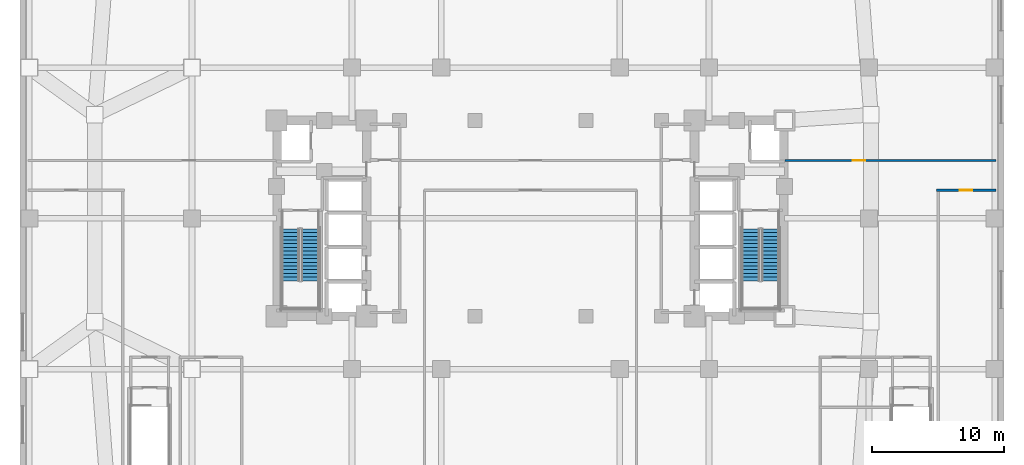
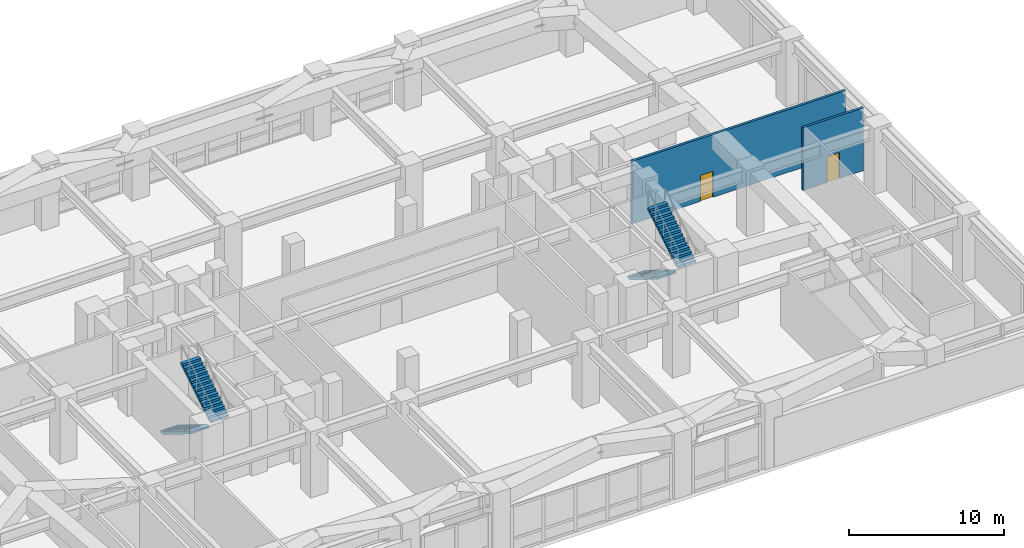
# One storey, part 18 of 20: 4 stair flights, 2 doors, 2 walls, 2 openings, 2 elements without a shape of their own.
"""IFC4 building model written with IfcOpenShell, lengths in metres."""

from ifc_helpers import new_model, si_unit, direction, frame, frame_2d, origin, place, context, subcontext, project, spatial, polyline, rectangle, outline, extrude, material, layer, layer_set, type_object, element, fill, aggregate, save


model = new_model("IFC4")

# Units and contexts
model_context = context("Model", 3, precision=1e-05, world=origin(), true_north=direction((0.0, 1.0)))
body_context = subcontext(model_context, "Body", "Model", "MODEL_VIEW")
ifc_project = project(units=[si_unit("LENGTHUNIT", "METRE"), si_unit("AREAUNIT", "SQUARE_METRE"), si_unit("VOLUMEUNIT", "CUBIC_METRE"), si_unit("PLANEANGLEUNIT", "RADIAN"), si_unit("MASSUNIT", "GRAM", prefix="KILO")], contexts=[model_context])

# Site, building, storey
site_placement = place(None, origin())
site = spatial("IfcSite", under=ifc_project, at=site_placement, CompositionType="ELEMENT")
building_placement = place(site_placement, origin())
building = spatial("IfcBuilding", under=site, at=building_placement, Name="Voryun Gate Residences", CompositionType="ELEMENT")
storey_placement = place(building_placement, frame((0.0, 0.0, 20.800048828125)))
storey = spatial("IfcBuildingStorey", under=building, at=storey_placement, Name="L04", CompositionType="ELEMENT", Elevation=20.800048828125)

# Wall, opening, door
ifc_material_1 = material(Name="Gypsum acoustic fireboard")
ifc_layer = layer(ifc_material_1, 0.179931640625, Name="W_CORR_RATED_180")
ifc_layer_set = layer_set([ifc_layer], Name="Gypsum acoustic fireboard")
wall_type = type_object("IfcWallType", Name="W_CORR_RATED_180", PredefinedType="PARTITIONING", material=ifc_layer_set)
wall_1_placement = place(storey_placement, frame((30.699951171875, 2.1201171875, 0.0), z_axis=(0.0, 0.0, 1.0), x_axis=(1.0, 0.0, 0.0)))
wall_1 = element("IfcWall", 1, at=wall_1_placement, inside=storey, type_object=wall_type, Name="Partition wall WP-L04-CS3", PredefinedType="PARTITIONING", context=body_context, shape_type="SweptSolid", body=[
    extrude(rectangle(XDim=4.5, YDim=0.179931640625, at=frame_2d((2.25, 0.0))), origin(), (0.0, 0.0, 1.0), 4.949951171875),
])
opening_1_placement = place(wall_1_placement, frame((1.77490234375, 0.0, 0.0)))
opening_1 = element("IfcOpeningElement", 2, at=opening_1_placement, cuts=wall_1, Name="Opening D-INT-1", PredefinedType="OPENING", context=body_context, shape_type="SweptSolid", body=[
    extrude(rectangle(XDim=0.949951171875, YDim=2.050048828125, at=frame_2d((0.47509765625, 1.02490234375))), frame((0.0, 0.099853515625, 0.0), z_axis=(0.0, -1.0, 0.0), x_axis=(1.0, 0.0, 0.0)), (0.0, 0.0, 1.0), 0.199951171875),
])
ifc_material_2 = material(Name="Architectural oak veneer")
door_type = type_object("IfcDoorType", Name="DR_INT_ROOM_950", OperationType="NOTDEFINED", PredefinedType="DOOR", material=ifc_material_2)
door_1_placement = place(opening_1_placement, origin())
door_1 = element("IfcDoor", 3, at=door_1_placement, inside=storey, type_object=door_type, Name="Door DR-L04-CLUB", OperationType="SINGLE_SWING_RIGHT", OverallHeight=2.050048828125, OverallWidth=0.949951171875, PredefinedType="DOOR", context=body_context, shape_type="SweptSolid", body=[
    extrude(rectangle(XDim=0.949951171875, YDim=2.050048828125, at=frame_2d((0.47509765625, 1.02490234375))), frame((0.0, 0.02490234375, 0.0), z_axis=(0.0, -1.0, 0.0), x_axis=(1.0, 0.0, 0.0)), (0.0, 0.0, 1.0), 0.050048828125),
])
fill(opening_1, door_1)

wall_2_placement = place(storey_placement, frame((19.25, 4.3798828125, 0.0), z_axis=(0.0, 0.0, 1.0), x_axis=(1.0, 0.0, 0.0)))
wall_2 = element("IfcWall", 4, at=wall_2_placement, inside=storey, type_object=wall_type, Name="Partition wall WP-L04-CN3", PredefinedType="PARTITIONING", context=body_context, shape_type="SweptSolid", body=[
    extrude(rectangle(XDim=15.949951171875, YDim=0.179931640625, at=frame_2d((7.97509765625, 0.0))), origin(), (0.0, 0.0, 1.0), 4.949951171875),
])
opening_2_placement = place(wall_2_placement, frame((5.107421875, 0.0, 0.0)))
opening_2 = element("IfcOpeningElement", 5, at=opening_2_placement, cuts=wall_2, Name="Opening D-INT-1", PredefinedType="OPENING", context=body_context, shape_type="SweptSolid", body=[
    extrude(rectangle(XDim=0.949951171875, YDim=2.050048828125, at=frame_2d((0.47509765625, 1.02490234375))), frame((0.0, 0.099853515625, 0.0), z_axis=(0.0, -1.0, 0.0), x_axis=(1.0, 0.0, 0.0)), (0.0, 0.0, 1.0), 0.199951171875),
])
door_2_placement = place(opening_2_placement, origin())
door_2 = element("IfcDoor", 6, at=door_2_placement, inside=storey, type_object=door_type, Name="Door DR-L04-SALON", OperationType="SINGLE_SWING_LEFT", OverallHeight=2.050048828125, OverallWidth=0.949951171875, PredefinedType="DOOR", context=body_context, shape_type="SweptSolid", body=[
    extrude(rectangle(XDim=0.949951171875, YDim=2.050048828125, at=frame_2d((0.47509765625, 1.02490234375))), frame((0.0, 0.02490234375, 0.0), z_axis=(0.0, -1.0, 0.0), x_axis=(1.0, 0.0, 0.0)), (0.0, 0.0, 1.0), 0.050048828125),
])
fill(opening_2, door_2)

# Stair, stair flights
ifc_material_3 = material(Name="Concrete C40/50", Category="concrete")
stair_type = type_object("IfcStairType", Name="STR_CORE_DOGLEG_1350", PredefinedType="HALF_TURN_STAIR", material=ifc_material_3)
stair_1_placement = place(storey_placement, origin())
stair_1 = element("IfcStair", 7, at=stair_1_placement, inside=storey, type_object=stair_type, Name="L04 Special Escape Stair ST-W1", PredefinedType="HALF_TURN_STAIR")
ifc_material_4 = material(Name="Concrete C40/50", Category="concrete")
stair_flight_type = type_object("IfcStairFlightType", Name="FLT_CORE_1350", PredefinedType="STRAIGHT", material=ifc_material_4)
stair_flight_1_placement = place(storey_placement, frame((-18.14990234375, -0.800048828125, 0.0), z_axis=(0.0, 0.0, 1.0), x_axis=(0.0, -1.0, 0.0)))
stair_flight_1 = element("IfcStairFlight", 8, at=stair_flight_1_placement, type_object=stair_flight_type, Name="ST-W1 flight 1", NumberOfRisers=15, NumberOfTreads=14, PredefinedType="STRAIGHT", RiserHeight=0.173333333, TreadLength=0.28, context=body_context, shape_type="SweptSolid", body=[
    extrude(outline(polyline([(0.0, 0.0), (0.0, 0.17333984375), (0.280029296875, 0.17333984375), (0.280029296875, 0.3466796875), (0.56005859375, 0.3466796875), (0.56005859375, 0.52001953125), (0.840087890625, 0.52001953125), (0.840087890625, 0.693359375), (1.1201171875, 0.693359375), (1.1201171875, 0.86669921875), (1.39990234375, 0.86669921875), (1.39990234375, 1.0400390625), (1.679931640625, 1.0400390625), (1.679931640625, 1.21337890625), (1.9599609375, 1.21337890625), (1.9599609375, 1.38671875), (2.239990234375, 1.38671875), (2.239990234375, 1.56005859375), (2.52001953125, 1.56005859375), (2.52001953125, 1.7333984375), (2.800048828125, 1.7333984375), (2.800048828125, 1.90673828125), (3.080078125, 1.90673828125), (3.080078125, 2.080078125), (3.360107421875, 2.080078125), (3.360107421875, 2.25341796875), (3.639892578125, 2.25341796875), (3.639892578125, 2.4267578125), (3.919921875, 2.4267578125), (3.919921875, 2.60009765625), (3.919921875, 2.250244140625), (0.284912109375, 0.0), (0.0, 0.0)])), frame((0.0, 0.675048828125, 0.0), z_axis=(0.0, -1.0, 0.0), x_axis=(1.0, 0.0, 0.0)), (0.0, 0.0, 1.0), 1.35009765625),
])
stair_flight_2_placement = place(storey_placement, frame((-16.64990234375, -4.719970703125, 2.599853515625), z_axis=(0.0, 0.0, 1.0), x_axis=(0.0, 1.0, 0.0)))
stair_flight_2 = element("IfcStairFlight", 9, at=stair_flight_2_placement, type_object=stair_flight_type, Name="ST-W1 flight 2", NumberOfRisers=15, NumberOfTreads=14, PredefinedType="STRAIGHT", RiserHeight=0.173333333, TreadLength=0.28, context=body_context, shape_type="SweptSolid", body=[
    extrude(outline(polyline([(0.0, 0.0), (0.0, 0.17333984375), (0.280029296875, 0.17333984375), (0.280029296875, 0.3466796875), (0.56005859375, 0.3466796875), (0.56005859375, 0.52001953125), (0.840087890625, 0.52001953125), (0.840087890625, 0.693359375), (1.1201171875, 0.693359375), (1.1201171875, 0.86669921875), (1.39990234375, 0.86669921875), (1.39990234375, 1.0400390625), (1.679931640625, 1.0400390625), (1.679931640625, 1.21337890625), (1.9599609375, 1.21337890625), (1.9599609375, 1.38671875), (2.239990234375, 1.38671875), (2.239990234375, 1.56005859375), (2.52001953125, 1.56005859375), (2.52001953125, 1.7333984375), (2.800048828125, 1.7333984375), (2.800048828125, 1.90673828125), (3.080078125, 1.90673828125), (3.080078125, 2.080078125), (3.360107421875, 2.080078125), (3.360107421875, 2.25341796875), (3.639892578125, 2.25341796875), (3.639892578125, 2.4267578125), (3.919921875, 2.4267578125), (3.919921875, 2.60009765625), (3.919921875, 2.250244140625), (0.284912109375, 0.0), (0.0, 0.0)])), frame((0.0, 0.675048828125, 0.0), z_axis=(0.0, -1.0, 0.0), x_axis=(1.0, 0.0, 0.0)), (0.0, 0.0, 1.0), 1.35009765625),
])
aggregate(stair_1, [stair_flight_1, stair_flight_2])

stair_2_placement = place(storey_placement, origin())
stair_2 = element("IfcStair", 10, at=stair_2_placement, inside=storey, type_object=stair_type, Name="L04 Special Escape Stair ST-E1", PredefinedType="HALF_TURN_STAIR")
stair_flight_3_placement = place(storey_placement, frame((16.64990234375, -0.800048828125, 0.0), z_axis=(0.0, 0.0, 1.0), x_axis=(0.0, -1.0, 0.0)))
stair_flight_3 = element("IfcStairFlight", 11, at=stair_flight_3_placement, type_object=stair_flight_type, Name="ST-E1 flight 1", NumberOfRisers=15, NumberOfTreads=14, PredefinedType="STRAIGHT", RiserHeight=0.173333333, TreadLength=0.28, context=body_context, shape_type="SweptSolid", body=[
    extrude(outline(polyline([(0.0, 0.0), (0.0, 0.17333984375), (0.280029296875, 0.17333984375), (0.280029296875, 0.3466796875), (0.56005859375, 0.3466796875), (0.56005859375, 0.52001953125), (0.840087890625, 0.52001953125), (0.840087890625, 0.693359375), (1.1201171875, 0.693359375), (1.1201171875, 0.86669921875), (1.39990234375, 0.86669921875), (1.39990234375, 1.0400390625), (1.679931640625, 1.0400390625), (1.679931640625, 1.21337890625), (1.9599609375, 1.21337890625), (1.9599609375, 1.38671875), (2.239990234375, 1.38671875), (2.239990234375, 1.56005859375), (2.52001953125, 1.56005859375), (2.52001953125, 1.7333984375), (2.800048828125, 1.7333984375), (2.800048828125, 1.90673828125), (3.080078125, 1.90673828125), (3.080078125, 2.080078125), (3.360107421875, 2.080078125), (3.360107421875, 2.25341796875), (3.639892578125, 2.25341796875), (3.639892578125, 2.4267578125), (3.919921875, 2.4267578125), (3.919921875, 2.60009765625), (3.919921875, 2.250244140625), (0.284912109375, 0.0), (0.0, 0.0)])), frame((0.0, 0.675048828125, 0.0), z_axis=(0.0, -1.0, 0.0), x_axis=(1.0, 0.0, 0.0)), (0.0, 0.0, 1.0), 1.35009765625),
])
stair_flight_4_placement = place(storey_placement, frame((18.14990234375, -4.719970703125, 2.599853515625), z_axis=(0.0, 0.0, 1.0), x_axis=(0.0, 1.0, 0.0)))
stair_flight_4 = element("IfcStairFlight", 12, at=stair_flight_4_placement, type_object=stair_flight_type, Name="ST-E1 flight 2", NumberOfRisers=15, NumberOfTreads=14, PredefinedType="STRAIGHT", RiserHeight=0.173333333, TreadLength=0.28, context=body_context, shape_type="SweptSolid", body=[
    extrude(outline(polyline([(0.0, 0.0), (0.0, 0.17333984375), (0.280029296875, 0.17333984375), (0.280029296875, 0.3466796875), (0.56005859375, 0.3466796875), (0.56005859375, 0.52001953125), (0.840087890625, 0.52001953125), (0.840087890625, 0.693359375), (1.1201171875, 0.693359375), (1.1201171875, 0.86669921875), (1.39990234375, 0.86669921875), (1.39990234375, 1.0400390625), (1.679931640625, 1.0400390625), (1.679931640625, 1.21337890625), (1.9599609375, 1.21337890625), (1.9599609375, 1.38671875), (2.239990234375, 1.38671875), (2.239990234375, 1.56005859375), (2.52001953125, 1.56005859375), (2.52001953125, 1.7333984375), (2.800048828125, 1.7333984375), (2.800048828125, 1.90673828125), (3.080078125, 1.90673828125), (3.080078125, 2.080078125), (3.360107421875, 2.080078125), (3.360107421875, 2.25341796875), (3.639892578125, 2.25341796875), (3.639892578125, 2.4267578125), (3.919921875, 2.4267578125), (3.919921875, 2.60009765625), (3.919921875, 2.250244140625), (0.284912109375, 0.0), (0.0, 0.0)])), frame((0.0, 0.675048828125, 0.0), z_axis=(0.0, -1.0, 0.0), x_axis=(1.0, 0.0, 0.0)), (0.0, 0.0, 1.0), 1.35009765625),
])
aggregate(stair_2, [stair_flight_3, stair_flight_4])

save(model, "model.ifc")
